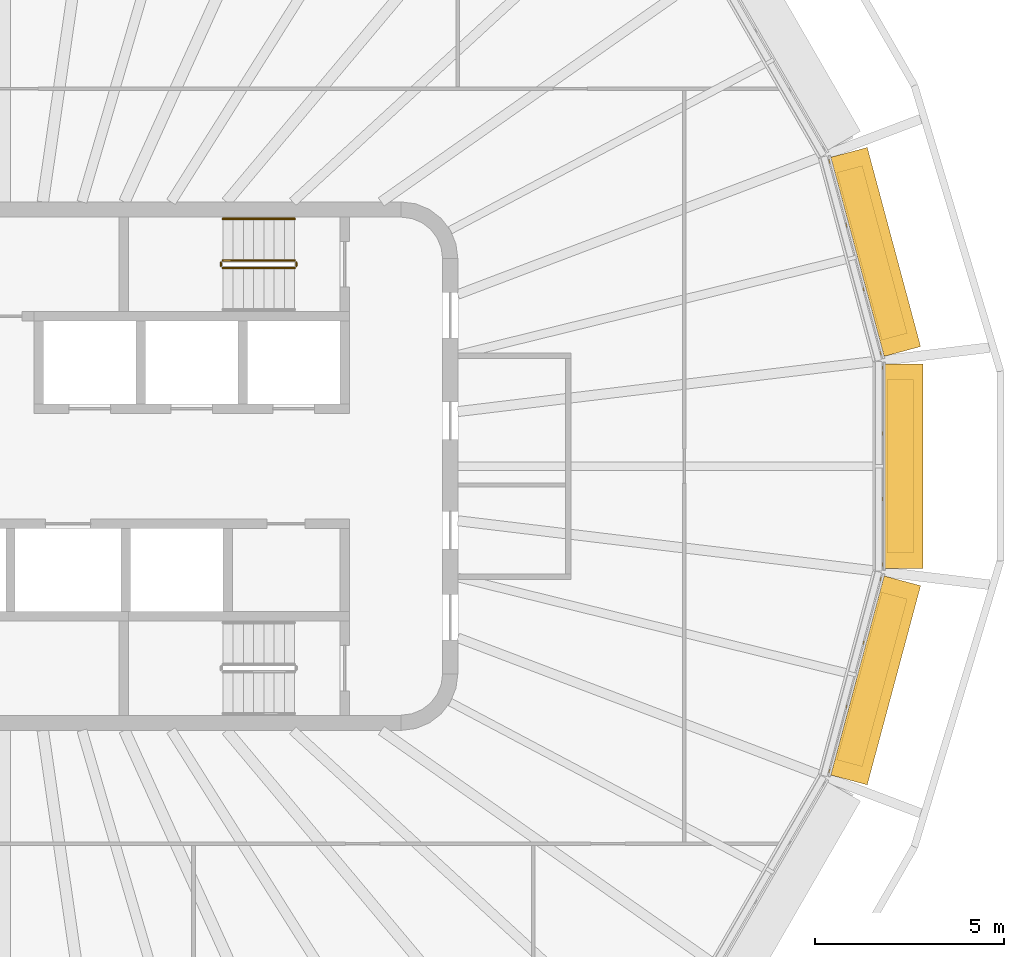
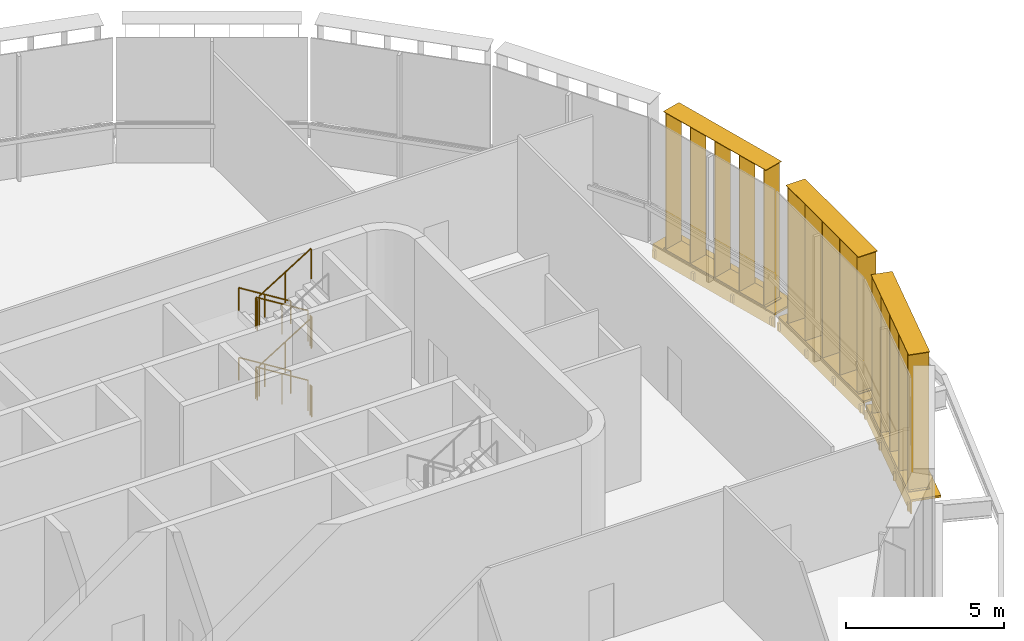
# One storey, part 15 of 16: 10 railings, 6 shading devices.
"""IFC4 building model written with IfcOpenShell, lengths in metres."""

from ifc_helpers import new_model, si_unit, direction, frame, origin, origin_2d, place, context, subcontext, project, spatial, rectangle, circle, extrude, material, type_object, element, save


model = new_model("IFC4")

# Units and contexts
model_context = context("Model", 3, precision=1e-05, world=origin(), true_north=direction((0.0, 1.0)))
body_context = subcontext(model_context, "Body", "Model", "MODEL_VIEW")
ifc_project = project(units=[si_unit("LENGTHUNIT", "METRE"), si_unit("AREAUNIT", "SQUARE_METRE"), si_unit("VOLUMEUNIT", "CUBIC_METRE"), si_unit("PLANEANGLEUNIT", "RADIAN"), si_unit("MASSUNIT", "GRAM", prefix="KILO")], contexts=[model_context])

# Site, building, storey
site_placement = place(None, origin())
site = spatial("IfcSite", under=ifc_project, at=site_placement, CompositionType="ELEMENT")
building_placement = place(site_placement, origin())
building = spatial("IfcBuilding", under=site, at=building_placement, Name="Sahrelin Media Tower", CompositionType="ELEMENT")
storey_placement = place(building_placement, frame((0.0, 0.0, 324.39990234375)))
storey = spatial("IfcBuildingStorey", under=building, at=storey_placement, Name="L72", CompositionType="ELEMENT", Elevation=324.39990234375)

# Shading devices
ifc_material_1 = material(Name="Champagne anodised aluminium 6063-T6", Category="aluminium")
shading_device_type_1 = type_object("IfcShadingDeviceType", Name="Fin cassette", PredefinedType="USERDEFINED", material=ifc_material_1)
placement_1 = place(storey_placement, frame((23.299072265625, 0.0, 0.0), z_axis=(0.0, 0.0, 1.0), x_axis=(0.0, -1.0, 0.0)))
element("IfcShadingDevice", 1, at=placement_1, inside=storey, type_object=shading_device_type_1, Name="L72:FIN:L72-00", ObjectType="FIN", PredefinedType="USERDEFINED", context=body_context, shape_type="SweptSolid", body=[
    extrude(rectangle(XDim=4.60009765625, YDim=0.699951171875, at=origin_2d()), frame((0.0, 0.419921875, 0.0)), (0.0, 0.0, 1.0), 0.02001953125),
    extrude(rectangle(XDim=4.60009765625, YDim=0.699951171875, at=origin_2d()), frame((0.0, 0.419921875, 5.300048828125)), (0.0, 0.0, 1.0), 0.02001953125),
    extrude(rectangle(XDim=0.02001953125, YDim=0.699951171875, at=origin_2d()), frame((-2.199951171875, 0.419921875, 0.010009765625), z_axis=(0.0, 0.0, 1.0), x_axis=(1.0, 0.0, 0.0)), (0.0, 0.0, 1.0), 5.300048828125),
    extrude(rectangle(XDim=0.02001953125, YDim=0.699951171875, at=origin_2d()), frame((-1.10009765625, 0.419921875, 0.010009765625), z_axis=(0.0, 0.0, 1.0), x_axis=(1.0, 0.0, 0.0)), (0.0, 0.0, 1.0), 5.300048828125),
    extrude(rectangle(XDim=0.02001953125, YDim=0.699951171875, at=origin_2d()), frame((0.0, 0.419921875, 0.010009765625), z_axis=(0.0, 0.0, 1.0), x_axis=(1.0, 0.0, 0.0)), (0.0, 0.0, 1.0), 5.300048828125),
    extrude(rectangle(XDim=0.02001953125, YDim=0.699951171875, at=origin_2d()), frame((1.10009765625, 0.419921875, 0.010009765625), z_axis=(0.0, 0.0, 1.0), x_axis=(1.0, 0.0, 0.0)), (0.0, 0.0, 1.0), 5.300048828125),
    extrude(rectangle(XDim=0.02001953125, YDim=0.699951171875, at=origin_2d()), frame((2.199951171875, 0.419921875, 0.010009765625), z_axis=(0.0, 0.0, 1.0), x_axis=(1.0, 0.0, 0.0)), (0.0, 0.0, 1.0), 5.300048828125),
])
placement_2 = place(storey_placement, frame((22.56640625, 5.540283203125, 0.0), z_axis=(0.0, 0.0, 1.0), x_axis=(0.258807731996, -0.965928857556, 0.0)))
element("IfcShadingDevice", 2, at=placement_2, inside=storey, type_object=shading_device_type_1, Name="L72:FIN:L72-01", ObjectType="FIN", PredefinedType="USERDEFINED", context=body_context, shape_type="SweptSolid", body=[
    extrude(rectangle(XDim=4.60009765625, YDim=0.699951171875, at=origin_2d()), frame((0.0, 0.419921875, 0.0)), (0.0, 0.0, 1.0), 0.02001953125),
    extrude(rectangle(XDim=4.60009765625, YDim=0.699951171875, at=origin_2d()), frame((0.0, 0.419921875, 5.300048828125)), (0.0, 0.0, 1.0), 0.02001953125),
    extrude(rectangle(XDim=0.02001953125, YDim=0.699951171875, at=origin_2d()), frame((-2.199951171875, 0.419921875, 0.010009765625), z_axis=(0.0, 0.0, 1.0), x_axis=(1.0, 0.0, 0.0)), (0.0, 0.0, 1.0), 5.300048828125),
    extrude(rectangle(XDim=0.02001953125, YDim=0.699951171875, at=origin_2d()), frame((-1.10009765625, 0.419921875, 0.010009765625), z_axis=(0.0, 0.0, 1.0), x_axis=(1.0, 0.0, 0.0)), (0.0, 0.0, 1.0), 5.300048828125),
    extrude(rectangle(XDim=0.02001953125, YDim=0.699951171875, at=origin_2d()), frame((0.0, 0.419921875, 0.010009765625), z_axis=(0.0, 0.0, 1.0), x_axis=(1.0, 0.0, 0.0)), (0.0, 0.0, 1.0), 5.300048828125),
    extrude(rectangle(XDim=0.02001953125, YDim=0.699951171875, at=origin_2d()), frame((1.10009765625, 0.419921875, 0.010009765625), z_axis=(0.0, 0.0, 1.0), x_axis=(1.0, 0.0, 0.0)), (0.0, 0.0, 1.0), 5.300048828125),
    extrude(rectangle(XDim=0.02001953125, YDim=0.699951171875, at=origin_2d()), frame((2.199951171875, 0.419921875, 0.010009765625), z_axis=(0.0, 0.0, 1.0), x_axis=(1.0, 0.0, 0.0)), (0.0, 0.0, 1.0), 5.300048828125),
])
placement_3 = place(storey_placement, frame((22.56640625, -5.540283203125, 0.0), z_axis=(0.0, 0.0, 1.0), x_axis=(-0.258807731996, -0.965928857556, 0.0)))
element("IfcShadingDevice", 3, at=placement_3, inside=storey, type_object=shading_device_type_1, Name="L72:FIN:L72-23", ObjectType="FIN", PredefinedType="USERDEFINED", context=body_context, shape_type="SweptSolid", body=[
    extrude(rectangle(XDim=4.60009765625, YDim=0.699951171875, at=origin_2d()), frame((0.0, 0.419921875, 0.0)), (0.0, 0.0, 1.0), 0.02001953125),
    extrude(rectangle(XDim=4.60009765625, YDim=0.699951171875, at=origin_2d()), frame((0.0, 0.419921875, 5.300048828125)), (0.0, 0.0, 1.0), 0.02001953125),
    extrude(rectangle(XDim=0.02001953125, YDim=0.699951171875, at=origin_2d()), frame((-2.199951171875, 0.419921875, 0.010009765625), z_axis=(0.0, 0.0, 1.0), x_axis=(1.0, 0.0, 0.0)), (0.0, 0.0, 1.0), 5.300048828125),
    extrude(rectangle(XDim=0.02001953125, YDim=0.699951171875, at=origin_2d()), frame((-1.10009765625, 0.419921875, 0.010009765625), z_axis=(0.0, 0.0, 1.0), x_axis=(1.0, 0.0, 0.0)), (0.0, 0.0, 1.0), 5.300048828125),
    extrude(rectangle(XDim=0.02001953125, YDim=0.699951171875, at=origin_2d()), frame((0.0, 0.419921875, 0.010009765625), z_axis=(0.0, 0.0, 1.0), x_axis=(1.0, 0.0, 0.0)), (0.0, 0.0, 1.0), 5.300048828125),
    extrude(rectangle(XDim=0.02001953125, YDim=0.699951171875, at=origin_2d()), frame((1.10009765625, 0.419921875, 0.010009765625), z_axis=(0.0, 0.0, 1.0), x_axis=(1.0, 0.0, 0.0)), (0.0, 0.0, 1.0), 5.300048828125),
    extrude(rectangle(XDim=0.02001953125, YDim=0.699951171875, at=origin_2d()), frame((2.199951171875, 0.419921875, 0.010009765625), z_axis=(0.0, 0.0, 1.0), x_axis=(1.0, 0.0, 0.0)), (0.0, 0.0, 1.0), 5.300048828125),
])

# Railings
ifc_material_2 = material(Name="Steel S355", Category="steel")
railing_type_1 = type_object("IfcRailingType", Name="Stair guard 1200", PredefinedType="GUARDRAIL", material=ifc_material_2)
railing_1_placement = place(storey_placement, frame((7.675048828125, 5.449951171875, 0.1689453125)))
element("IfcRailing", 4, at=railing_1_placement, inside=storey, type_object=railing_type_1, Name="L72 ST3 stair guard 1", PredefinedType="GUARDRAIL", context=body_context, shape_type="SweptSolid", body=[
    extrude(circle(Radius=0.02392578125, at=origin_2d()), frame((0.0, 0.0, 1.17578125), z_axis=(-0.849289292259, 0.0, 0.527927739425), x_axis=(0.0, -1.0, 0.0)), (0.0, 0.0, 1.0), 2.2373046875),
    extrude(circle(Radius=0.02099609375, at=origin_2d()), origin(), (0.0, 0.0, 1.0), 1.15185546875),
    extrude(circle(Radius=0.02099609375, at=origin_2d()), frame((-0.9501953125, 0.0, 0.590576171875)), (0.0, 0.0, 1.0), 1.15185546875),
    extrude(circle(Radius=0.02099609375, at=origin_2d()), frame((-1.900146484375, 0.0, 1.18115234375)), (0.0, 0.0, 1.0), 1.15185546875),
])
railing_2_placement = place(storey_placement, frame((5.72509765625, 5.39990234375, 1.35009765625)))
element("IfcRailing", 5, at=railing_2_placement, inside=storey, type_object=railing_type_1, Name="L72 ST3 stair guard 2", PredefinedType="GUARDRAIL", context=body_context, shape_type="SweptSolid", body=[
    extrude(circle(Radius=0.02392578125, at=origin_2d()), frame((0.0, 0.0, 1.17578125), z_axis=(0.0, -1.0, 0.0), x_axis=(1.0, 0.0, 0.0)), (0.0, 0.0, 1.0), 0.099853515625),
    extrude(circle(Radius=0.02099609375, at=origin_2d()), origin(), (0.0, 0.0, 1.0), 1.15185546875),
    extrude(circle(Radius=0.02099609375, at=origin_2d()), frame((0.0, -0.099853515625, 0.0)), (0.0, 0.0, 1.0), 1.15185546875),
])
railing_3_placement = place(storey_placement, frame((5.77490234375, 5.25, 1.518798828125)))
element("IfcRailing", 6, at=railing_3_placement, inside=storey, type_object=railing_type_1, Name="L72 ST3 stair guard 3", PredefinedType="GUARDRAIL", context=body_context, shape_type="SweptSolid", body=[
    extrude(circle(Radius=0.02392578125, at=origin_2d()), frame((0.0, 0.0, 1.17578125), z_axis=(0.849240365539, 0.0, 0.528006440812), x_axis=(0.0, 1.0, 0.0)), (0.0, 0.0, 1.0), 2.237548828125),
    extrude(circle(Radius=0.02099609375, at=origin_2d()), origin(), (0.0, 0.0, 1.0), 1.15185546875),
    extrude(circle(Radius=0.02099609375, at=origin_2d()), frame((0.9501953125, 0.0, 0.5908203125)), (0.0, 0.0, 1.0), 1.15185546875),
    extrude(circle(Radius=0.02099609375, at=origin_2d()), frame((1.900146484375, 0.0, 1.181396484375)), (0.0, 0.0, 1.0), 1.15185546875),
])
railing_4_placement = place(storey_placement, frame((7.72509765625, 5.39990234375, 2.7001953125)))
element("IfcRailing", 7, at=railing_4_placement, inside=storey, type_object=railing_type_1, Name="L72 ST3 stair guard 4", PredefinedType="GUARDRAIL", context=body_context, shape_type="SweptSolid", body=[
    extrude(circle(Radius=0.02392578125, at=origin_2d()), frame((0.0, 0.0, 1.17578125), z_axis=(0.0, -1.0, 0.0), x_axis=(1.0, 0.0, 0.0)), (0.0, 0.0, 1.0), 0.099853515625),
    extrude(circle(Radius=0.02099609375, at=origin_2d()), origin(), (0.0, 0.0, 1.0), 1.15185546875),
    extrude(circle(Radius=0.02099609375, at=origin_2d()), frame((0.0, -0.099853515625, 0.0)), (0.0, 0.0, 1.0), 1.15185546875),
])
railing_5_placement = place(storey_placement, frame((7.675048828125, 5.449951171875, 2.868896484375)))
element("IfcRailing", 8, at=railing_5_placement, inside=storey, type_object=railing_type_1, Name="L72 ST3 stair guard 5", PredefinedType="GUARDRAIL", context=body_context, shape_type="SweptSolid", body=[
    extrude(circle(Radius=0.02392578125, at=origin_2d()), frame((0.0, 0.0, 1.17578125), z_axis=(-0.849289292259, 0.0, 0.527927739425), x_axis=(0.0, -1.0, 0.0)), (0.0, 0.0, 1.0), 2.2373046875),
    extrude(circle(Radius=0.02099609375, at=origin_2d()), origin(), (0.0, 0.0, 1.0), 1.15185546875),
    extrude(circle(Radius=0.02099609375, at=origin_2d()), frame((-0.9501953125, 0.0, 0.590576171875)), (0.0, 0.0, 1.0), 1.15185546875),
    extrude(circle(Radius=0.02099609375, at=origin_2d()), frame((-1.900146484375, 0.0, 1.18115234375)), (0.0, 0.0, 1.0), 1.15185546875),
])
railing_6_placement = place(storey_placement, frame((5.72509765625, 5.39990234375, 4.050048828125)))
element("IfcRailing", 9, at=railing_6_placement, inside=storey, type_object=railing_type_1, Name="L72 ST3 stair guard 6", PredefinedType="GUARDRAIL", context=body_context, shape_type="SweptSolid", body=[
    extrude(circle(Radius=0.02392578125, at=origin_2d()), frame((0.0, 0.0, 1.17578125), z_axis=(0.0, -1.0, 0.0), x_axis=(1.0, 0.0, 0.0)), (0.0, 0.0, 1.0), 0.099853515625),
    extrude(circle(Radius=0.02099609375, at=origin_2d()), origin(), (0.0, 0.0, 1.0), 1.15185546875),
    extrude(circle(Radius=0.02099609375, at=origin_2d()), frame((0.0, -0.099853515625, 0.0)), (0.0, 0.0, 1.0), 1.15185546875),
])
railing_7_placement = place(storey_placement, frame((5.77490234375, 5.25, 4.21875)))
element("IfcRailing", 10, at=railing_7_placement, inside=storey, type_object=railing_type_1, Name="L72 ST3 stair guard 7", PredefinedType="GUARDRAIL", context=body_context, shape_type="SweptSolid", body=[
    extrude(circle(Radius=0.02392578125, at=origin_2d()), frame((0.0, 0.0, 1.17578125), z_axis=(0.849240365539, 0.0, 0.528006440812), x_axis=(0.0, 1.0, 0.0)), (0.0, 0.0, 1.0), 2.237548828125),
    extrude(circle(Radius=0.02099609375, at=origin_2d()), origin(), (0.0, 0.0, 1.0), 1.15185546875),
    extrude(circle(Radius=0.02099609375, at=origin_2d()), frame((0.9501953125, 0.0, 0.5908203125)), (0.0, 0.0, 1.0), 1.15185546875),
    extrude(circle(Radius=0.02099609375, at=origin_2d()), frame((1.900146484375, 0.0, 1.181396484375)), (0.0, 0.0, 1.0), 1.15185546875),
])
railing_8_placement = place(storey_placement, frame((7.72509765625, 5.39990234375, 0.0)))
element("IfcRailing", 11, at=railing_8_placement, inside=storey, type_object=railing_type_1, Name="L72 ST3 stair guard 8", PredefinedType="GUARDRAIL", context=body_context, shape_type="SweptSolid", body=[
    extrude(circle(Radius=0.02392578125, at=origin_2d()), frame((0.0, 0.0, 1.17578125), z_axis=(0.0, -1.0, 0.0), x_axis=(1.0, 0.0, 0.0)), (0.0, 0.0, 1.0), 0.099853515625),
    extrude(circle(Radius=0.02099609375, at=origin_2d()), origin(), (0.0, 0.0, 1.0), 1.15185546875),
    extrude(circle(Radius=0.02099609375, at=origin_2d()), frame((0.0, -0.099853515625, 0.0)), (0.0, 0.0, 1.0), 1.15185546875),
])
railing_type_2 = type_object("IfcRailingType", Name="Stair handrail 900", PredefinedType="HANDRAIL", material=ifc_material_2)
for number, where, name in (
    (12, (7.675048828125, 6.550048828125, 0.1689453125), "L72 ST3 stair handrail 1"),
    (13, (7.675048828125, 6.550048828125, 2.868896484375), "L72 ST3 stair handrail 3"),
):
    element("IfcRailing", number, at=place(storey_placement, frame(where)), inside=storey, type_object=railing_type_2, Name=name, PredefinedType="HANDRAIL", context=body_context, shape_type="SweptSolid", body=[
        extrude(circle(Radius=0.02392578125, at=origin_2d()), frame((0.0, 0.0, 0.8759765625), z_axis=(-0.849289292259, 0.0, 0.527927739425), x_axis=(0.0, -1.0, 0.0)), (0.0, 0.0, 1.0), 2.2373046875),
        extrude(circle(Radius=0.02099609375, at=origin_2d()), origin(), (0.0, 0.0, 1.0), 0.851806640625),
        extrude(circle(Radius=0.02099609375, at=origin_2d()), frame((-0.9501953125, 0.0, 0.590576171875)), (0.0, 0.0, 1.0), 0.851806640625),
        extrude(circle(Radius=0.02099609375, at=origin_2d()), frame((-1.900146484375, 0.0, 1.18115234375)), (0.0, 0.0, 1.0), 0.851806640625),
    ])

# Shading devices
shading_device_type_2 = type_object("IfcShadingDeviceType", Name="Sunshade band", PredefinedType="USERDEFINED", material=ifc_material_1)
element("IfcShadingDevice", 14, at=placement_1, inside=storey, type_object=shading_device_type_2, Name="L72:SUN:L72-00", ObjectType="SUNSHADE", PredefinedType="USERDEFINED", context=body_context, shape_type="SweptSolid", body=[
    extrude(rectangle(XDim=5.412353515625, YDim=0.050048828125, at=origin_2d()), frame((0.0, 0.044921875, -0.55126953125)), (0.0, 0.0, 1.0), 0.471435546875),
    extrude(rectangle(XDim=5.412353515625, YDim=1.0, at=origin_2d()), frame((0.0, 0.52001953125, -0.080078125)), (0.0, 0.0, 1.0), 0.080078125),
    extrude(rectangle(XDim=0.10009765625, YDim=0.074951171875, at=origin_2d()), frame((-2.606201171875, -0.017578125, -0.47021484375)), (0.0, 0.0, 1.0), 0.300048828125),
    extrude(rectangle(XDim=0.10009765625, YDim=0.074951171875, at=origin_2d()), frame((-0.86865234375, -0.017578125, -0.47021484375)), (0.0, 0.0, 1.0), 0.300048828125),
    extrude(rectangle(XDim=0.10009765625, YDim=0.074951171875, at=origin_2d()), frame((0.86865234375, -0.017578125, -0.47021484375)), (0.0, 0.0, 1.0), 0.300048828125),
    extrude(rectangle(XDim=0.10009765625, YDim=0.074951171875, at=origin_2d()), frame((2.606201171875, -0.017578125, -0.47021484375)), (0.0, 0.0, 1.0), 0.300048828125),
])
element("IfcShadingDevice", 15, at=placement_2, inside=storey, type_object=shading_device_type_2, Name="L72:SUN:L72-01", ObjectType="SUNSHADE", PredefinedType="USERDEFINED", context=body_context, shape_type="SweptSolid", body=[
    extrude(rectangle(XDim=5.460693359375, YDim=0.050048828125, at=origin_2d()), frame((0.0, 0.044921875, -0.55126953125)), (0.0, 0.0, 1.0), 0.471435546875),
    extrude(rectangle(XDim=5.460693359375, YDim=1.0, at=origin_2d()), frame((0.0, 0.52001953125, -0.080078125)), (0.0, 0.0, 1.0), 0.080078125),
    extrude(rectangle(XDim=0.10009765625, YDim=0.074951171875, at=origin_2d()), frame((-2.63037109375, -0.017578125, -0.47021484375)), (0.0, 0.0, 1.0), 0.300048828125),
    extrude(rectangle(XDim=0.10009765625, YDim=0.074951171875, at=origin_2d()), frame((-0.876708984375, -0.017578125, -0.47021484375)), (0.0, 0.0, 1.0), 0.300048828125),
    extrude(rectangle(XDim=0.10009765625, YDim=0.074951171875, at=origin_2d()), frame((0.876708984375, -0.017578125, -0.47021484375)), (0.0, 0.0, 1.0), 0.300048828125),
    extrude(rectangle(XDim=0.10009765625, YDim=0.074951171875, at=origin_2d()), frame((2.63037109375, -0.017578125, -0.47021484375)), (0.0, 0.0, 1.0), 0.300048828125),
])
element("IfcShadingDevice", 16, at=placement_3, inside=storey, type_object=shading_device_type_2, Name="L72:SUN:L72-23", ObjectType="SUNSHADE", PredefinedType="USERDEFINED", context=body_context, shape_type="SweptSolid", body=[
    extrude(rectangle(XDim=5.460693359375, YDim=0.050048828125, at=origin_2d()), frame((0.0, 0.044921875, -0.55126953125)), (0.0, 0.0, 1.0), 0.471435546875),
    extrude(rectangle(XDim=5.460693359375, YDim=1.0, at=origin_2d()), frame((0.0, 0.52001953125, -0.080078125)), (0.0, 0.0, 1.0), 0.080078125),
    extrude(rectangle(XDim=0.10009765625, YDim=0.074951171875, at=origin_2d()), frame((-2.63037109375, -0.017578125, -0.47021484375)), (0.0, 0.0, 1.0), 0.300048828125),
    extrude(rectangle(XDim=0.10009765625, YDim=0.074951171875, at=origin_2d()), frame((-0.876708984375, -0.017578125, -0.47021484375)), (0.0, 0.0, 1.0), 0.300048828125),
    extrude(rectangle(XDim=0.10009765625, YDim=0.074951171875, at=origin_2d()), frame((0.876708984375, -0.017578125, -0.47021484375)), (0.0, 0.0, 1.0), 0.300048828125),
    extrude(rectangle(XDim=0.10009765625, YDim=0.074951171875, at=origin_2d()), frame((2.63037109375, -0.017578125, -0.47021484375)), (0.0, 0.0, 1.0), 0.300048828125),
])

save(model, "model.ifc")
